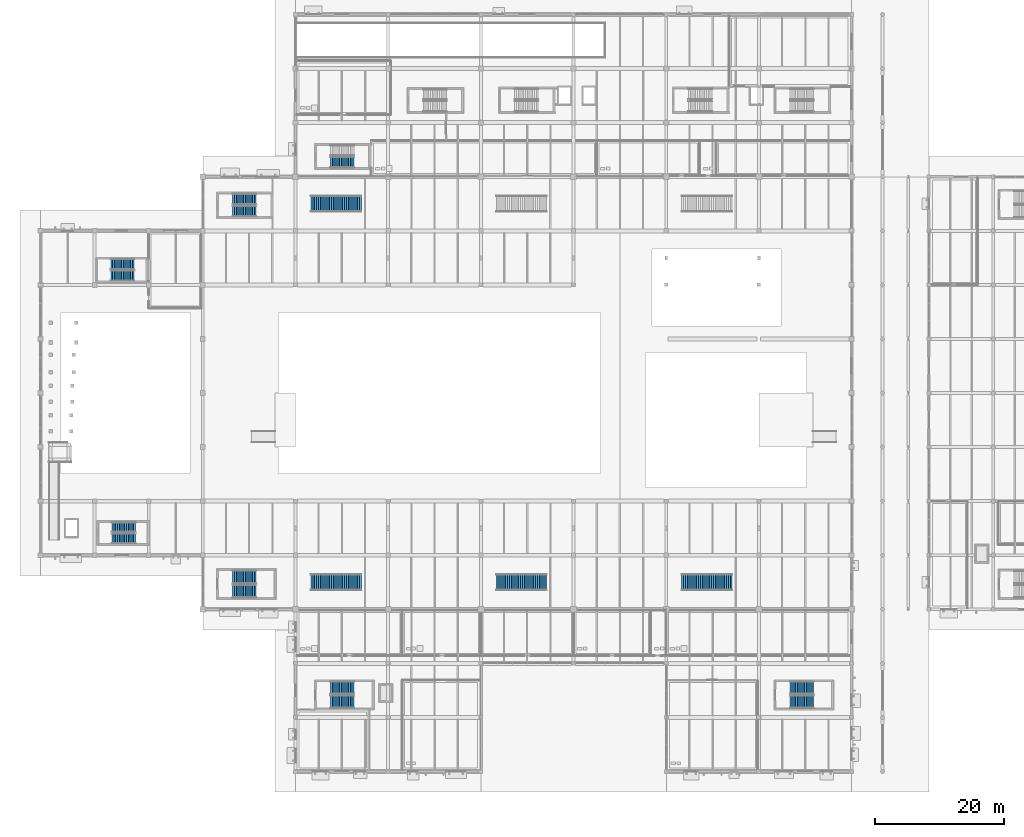
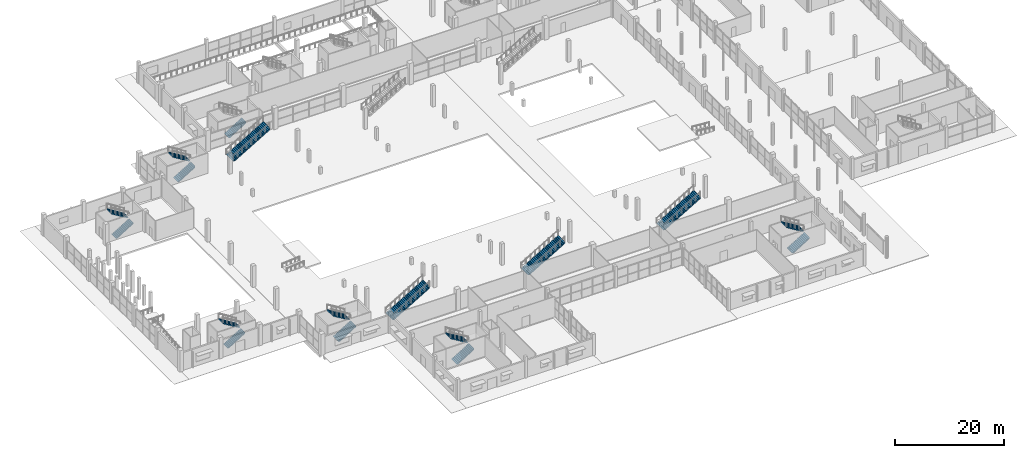
# One storey, part 99 of 130: 17 stair flights, 11 elements without a shape of their own.
"""IFC4 building model written with IfcOpenShell, lengths in metres."""

from ifc_helpers import new_model, si_unit, direction, frame, origin, place, context, subcontext, project, spatial, polyline, outline, extrude, material, type_object, element, aggregate, save


model = new_model("IFC4")

# Units and contexts
model_context = context("Model", 3, precision=1e-05, world=origin(), true_north=direction((0.0, 1.0)))
body_context = subcontext(model_context, "Body", "Model", "MODEL_VIEW")
ifc_project = project(units=[si_unit("LENGTHUNIT", "METRE"), si_unit("AREAUNIT", "SQUARE_METRE"), si_unit("VOLUMEUNIT", "CUBIC_METRE"), si_unit("PLANEANGLEUNIT", "RADIAN"), si_unit("MASSUNIT", "GRAM", prefix="KILO"), si_unit("THERMODYNAMICTEMPERATUREUNIT", "KELVIN")], contexts=[model_context])

# Site, building, storey
site_placement = place(None, origin())
site = spatial("IfcSite", under=ifc_project, at=site_placement, CompositionType="ELEMENT")
building_placement = place(site_placement, origin())
building = spatial("IfcBuilding", under=site, at=building_placement, Name="Nduvali Passage Aquatics Centre", CompositionType="ELEMENT")
storey_placement = place(building_placement, origin())
storey = spatial("IfcBuildingStorey", under=building, at=storey_placement, Name="L00", CompositionType="ELEMENT", Elevation=0.0)

# Stair, stair flights
ifc_material = material(Name="Concrete C40/50", Category="concrete")
stair_type_1 = type_object("IfcStairType", Name="INT-STR-CORE160", PredefinedType="HALF_TURN_STAIR", material=ifc_material)
stair_1_placement = place(storey_placement, origin())
stair_1 = element("IfcStair", 1, at=stair_1_placement, inside=storey, type_object=stair_type_1, Name="L00 ST9", PredefinedType="HALF_TURN_STAIR")
stair_flight_type_1 = type_object("IfcStairFlightType", Name="INT-FLT-160", PredefinedType="STRAIGHT", material=ifc_material)
stair_flight_1_placement = place(storey_placement, frame((11.10009765625, 36.199951171875, 0.0), z_axis=(0.0, 0.0, 1.0), x_axis=(1.0, 0.0, 0.0)))
stair_flight_1 = element("IfcStairFlight", 2, at=stair_flight_1_placement, type_object=stair_flight_type_1, Name="ST9 flight 1", NumberOfRisers=14, NumberOfTreads=13, PredefinedType="STRAIGHT", RiserHeight=0.171428571, TreadLength=0.28, context=body_context, shape_type="SweptSolid", body=[
    extrude(outline(polyline([(0.0, 0.0), (0.0, 0.17138671875), (0.280029296875, 0.17138671875), (0.280029296875, 0.3427734375), (0.56005859375, 0.3427734375), (0.56005859375, 0.514404296875), (0.840087890625, 0.514404296875), (0.840087890625, 0.685791015625), (1.1201171875, 0.685791015625), (1.1201171875, 0.857177734375), (1.39990234375, 0.857177734375), (1.39990234375, 1.028564453125), (1.679931640625, 1.028564453125), (1.679931640625, 1.199951171875), (1.9599609375, 1.199951171875), (1.9599609375, 1.371337890625), (2.239990234375, 1.371337890625), (2.239990234375, 1.54296875), (2.52001953125, 1.54296875), (2.52001953125, 1.71435546875), (2.800048828125, 1.71435546875), (2.800048828125, 1.8857421875), (3.080078125, 1.8857421875), (3.080078125, 2.05712890625), (3.360107421875, 2.05712890625), (3.360107421875, 2.228515625), (3.639892578125, 2.228515625), (3.639892578125, 2.39990234375), (3.640625, 2.39990234375), (3.640625, 2.199951171875), (3.639892578125, 2.052734375), (0.287109375, 0.0), (0.0, 0.0)])), frame((0.0, 0.800048828125, 0.0), z_axis=(0.0, -1.0, 0.0), x_axis=(1.0, 0.0, 0.0)), (0.0, 0.0, 1.0), 1.60009765625),
])
stair_flight_2_placement = place(storey_placement, frame((14.739990234375, 37.949951171875, 2.39990234375), z_axis=(0.0, 0.0, 1.0), x_axis=(-1.0, 0.0, 0.0)))
stair_flight_2 = element("IfcStairFlight", 3, at=stair_flight_2_placement, type_object=stair_flight_type_1, Name="ST9 flight 2", NumberOfRisers=14, NumberOfTreads=13, PredefinedType="STRAIGHT", RiserHeight=0.171428571, TreadLength=0.28, context=body_context, shape_type="SweptSolid", body=[
    extrude(outline(polyline([(0.0, 0.0), (0.0, 0.17138671875), (0.280029296875, 0.17138671875), (0.280029296875, 0.3427734375), (0.56005859375, 0.3427734375), (0.56005859375, 0.514404296875), (0.840087890625, 0.514404296875), (0.840087890625, 0.685791015625), (1.1201171875, 0.685791015625), (1.1201171875, 0.857177734375), (1.39990234375, 0.857177734375), (1.39990234375, 1.028564453125), (1.679931640625, 1.028564453125), (1.679931640625, 1.199951171875), (1.9599609375, 1.199951171875), (1.9599609375, 1.371337890625), (2.239990234375, 1.371337890625), (2.239990234375, 1.54296875), (2.52001953125, 1.54296875), (2.52001953125, 1.71435546875), (2.800048828125, 1.71435546875), (2.800048828125, 1.8857421875), (3.080078125, 1.8857421875), (3.080078125, 2.05712890625), (3.360107421875, 2.05712890625), (3.360107421875, 2.228515625), (3.639892578125, 2.228515625), (3.639892578125, 2.39990234375), (3.640625, 2.39990234375), (3.640625, 2.199951171875), (3.639892578125, 2.052734375), (0.287109375, 0.0), (0.0, 0.0)])), frame((0.0, 0.800048828125, 0.0), z_axis=(0.0, -1.0, 0.0), x_axis=(1.0, 0.0, 0.0)), (0.0, 0.0, 1.0), 1.60009765625),
])
aggregate(stair_1, [stair_flight_1, stair_flight_2])

stair_type_2 = type_object("IfcStairType", Name="INT-STR-CORE164", PredefinedType="HALF_TURN_STAIR", material=ifc_material)
stair_2_placement = place(storey_placement, origin())
stair_2 = element("IfcStair", 4, at=stair_2_placement, inside=storey, type_object=stair_type_2, Name="L00 ST12", PredefinedType="HALF_TURN_STAIR")
stair_flight_type_2 = type_object("IfcStairFlightType", Name="INT-FLT-164", PredefinedType="STRAIGHT", material=ifc_material)
stair_flight_3_placement = place(storey_placement, frame((10.89990234375, 77.02001953125, 0.0), z_axis=(0.0, 0.0, 1.0), x_axis=(1.0, 0.0, 0.0)))
stair_flight_3 = element("IfcStairFlight", 5, at=stair_flight_3_placement, type_object=stair_flight_type_2, Name="ST12 flight 1", NumberOfRisers=14, NumberOfTreads=13, PredefinedType="STRAIGHT", RiserHeight=0.171428571, TreadLength=0.28, context=body_context, shape_type="SweptSolid", body=[
    extrude(outline(polyline([(0.0, 0.0), (0.0, 0.17138671875), (0.280029296875, 0.17138671875), (0.280029296875, 0.3427734375), (0.56005859375, 0.3427734375), (0.56005859375, 0.514404296875), (0.840087890625, 0.514404296875), (0.840087890625, 0.685791015625), (1.1201171875, 0.685791015625), (1.1201171875, 0.857177734375), (1.39990234375, 0.857177734375), (1.39990234375, 1.028564453125), (1.679931640625, 1.028564453125), (1.679931640625, 1.199951171875), (1.9599609375, 1.199951171875), (1.9599609375, 1.371337890625), (2.239990234375, 1.371337890625), (2.239990234375, 1.54296875), (2.52001953125, 1.54296875), (2.52001953125, 1.71435546875), (2.800048828125, 1.71435546875), (2.800048828125, 1.8857421875), (3.080078125, 1.8857421875), (3.080078125, 2.05712890625), (3.360107421875, 2.05712890625), (3.360107421875, 2.228515625), (3.639892578125, 2.228515625), (3.639892578125, 2.39990234375), (3.640625, 2.39990234375), (3.640625, 2.199951171875), (3.639892578125, 2.052734375), (0.287109375, 0.0), (0.0, 0.0)])), frame((0.0, 0.81982421875, 0.0), z_axis=(0.0, -1.0, 0.0), x_axis=(1.0, 0.0, 0.0)), (0.0, 0.0, 1.0), 1.639892578125),
])
stair_flight_4_placement = place(storey_placement, frame((14.5400390625, 78.81005859375, 2.39990234375), z_axis=(0.0, 0.0, 1.0), x_axis=(-1.0, 0.0, 0.0)))
stair_flight_4 = element("IfcStairFlight", 6, at=stair_flight_4_placement, type_object=stair_flight_type_2, Name="ST12 flight 2", NumberOfRisers=14, NumberOfTreads=13, PredefinedType="STRAIGHT", RiserHeight=0.171428571, TreadLength=0.28, context=body_context, shape_type="SweptSolid", body=[
    extrude(outline(polyline([(0.0, 0.0), (0.0, 0.17138671875), (0.280029296875, 0.17138671875), (0.280029296875, 0.3427734375), (0.56005859375, 0.3427734375), (0.56005859375, 0.514404296875), (0.840087890625, 0.514404296875), (0.840087890625, 0.685791015625), (1.1201171875, 0.685791015625), (1.1201171875, 0.857177734375), (1.39990234375, 0.857177734375), (1.39990234375, 1.028564453125), (1.679931640625, 1.028564453125), (1.679931640625, 1.199951171875), (1.9599609375, 1.199951171875), (1.9599609375, 1.371337890625), (2.239990234375, 1.371337890625), (2.239990234375, 1.54296875), (2.52001953125, 1.54296875), (2.52001953125, 1.71435546875), (2.800048828125, 1.71435546875), (2.800048828125, 1.8857421875), (3.080078125, 1.8857421875), (3.080078125, 2.05712890625), (3.360107421875, 2.05712890625), (3.360107421875, 2.228515625), (3.639892578125, 2.228515625), (3.639892578125, 2.39990234375), (3.640625, 2.39990234375), (3.640625, 2.199951171875), (3.639892578125, 2.052734375), (0.287109375, 0.0), (0.0, 0.0)])), frame((0.0, 0.81982421875, 0.0), z_axis=(0.0, -1.0, 0.0), x_axis=(1.0, 0.0, 0.0)), (0.0, 0.0, 1.0), 1.639892578125),
])
aggregate(stair_2, [stair_flight_3, stair_flight_4])

# Stair, stair flight
stair_type_3 = type_object("IfcStairType", Name="INT-STR-CORE168", PredefinedType="HALF_TURN_STAIR", material=ifc_material)
stair_3_placement = place(storey_placement, origin())
stair_3 = element("IfcStair", 7, at=stair_3_placement, inside=storey, type_object=stair_type_3, Name="L00 ST4", PredefinedType="HALF_TURN_STAIR")
stair_flight_type_3 = type_object("IfcStairFlightType", Name="INT-FLT-168", PredefinedType="STRAIGHT", material=ifc_material)
stair_flight_5_placement = place(storey_placement, frame((45.050048828125, 94.639892578125, 0.0), z_axis=(0.0, 0.0, 1.0), x_axis=(1.0, 0.0, 0.0)))
stair_flight_5 = element("IfcStairFlight", 8, at=stair_flight_5_placement, type_object=stair_flight_type_3, Name="ST4 flight 1", NumberOfRisers=14, NumberOfTreads=13, PredefinedType="STRAIGHT", RiserHeight=0.171428571, TreadLength=0.28, context=body_context, shape_type="SweptSolid", body=[
    extrude(outline(polyline([(0.0, 0.0), (0.0, 0.17138671875), (0.280029296875, 0.17138671875), (0.280029296875, 0.3427734375), (0.56005859375, 0.3427734375), (0.56005859375, 0.514404296875), (0.840087890625, 0.514404296875), (0.840087890625, 0.685791015625), (1.1201171875, 0.685791015625), (1.1201171875, 0.857177734375), (1.39990234375, 0.857177734375), (1.39990234375, 1.028564453125), (1.679931640625, 1.028564453125), (1.679931640625, 1.199951171875), (1.9599609375, 1.199951171875), (1.9599609375, 1.371337890625), (2.239990234375, 1.371337890625), (2.239990234375, 1.54296875), (2.52001953125, 1.54296875), (2.52001953125, 1.71435546875), (2.800048828125, 1.71435546875), (2.800048828125, 1.8857421875), (3.080078125, 1.8857421875), (3.080078125, 2.05712890625), (3.360107421875, 2.05712890625), (3.360107421875, 2.228515625), (3.639892578125, 2.228515625), (3.639892578125, 2.39990234375), (3.640625, 2.39990234375), (3.640625, 2.199951171875), (3.639892578125, 2.052734375), (0.287109375, 0.0), (0.0, 0.0)])), frame((0.0, 0.83984375, 0.0), z_axis=(0.0, -1.0, 0.0), x_axis=(1.0, 0.0, 0.0)), (0.0, 0.0, 1.0), 1.679931640625),
])
aggregate(stair_3, [stair_flight_5])

# Stair, stair flights
stair_type_4 = type_object("IfcStairType", Name="INT-STR-CORE172", PredefinedType="HALF_TURN_STAIR", material=ifc_material)
stair_4_placement = place(storey_placement, origin())
stair_4 = element("IfcStair", 9, at=stair_4_placement, inside=storey, type_object=stair_type_4, Name="L00 ST10", PredefinedType="HALF_TURN_STAIR")
stair_flight_type_4 = type_object("IfcStairFlightType", Name="INT-FLT-172", PredefinedType="STRAIGHT", material=ifc_material)
stair_flight_6_placement = place(storey_placement, frame((29.85009765625, 87.06005859375, 0.0), z_axis=(0.0, 0.0, 1.0), x_axis=(1.0, 0.0, 0.0)))
stair_flight_6 = element("IfcStairFlight", 10, at=stair_flight_6_placement, type_object=stair_flight_type_4, Name="ST10 flight 1", NumberOfRisers=14, NumberOfTreads=13, PredefinedType="STRAIGHT", RiserHeight=0.171428571, TreadLength=0.28, context=body_context, shape_type="SweptSolid", body=[
    extrude(outline(polyline([(0.0, 0.0), (0.0, 0.17138671875), (0.280029296875, 0.17138671875), (0.280029296875, 0.3427734375), (0.56005859375, 0.3427734375), (0.56005859375, 0.514404296875), (0.840087890625, 0.514404296875), (0.840087890625, 0.685791015625), (1.1201171875, 0.685791015625), (1.1201171875, 0.857177734375), (1.39990234375, 0.857177734375), (1.39990234375, 1.028564453125), (1.679931640625, 1.028564453125), (1.679931640625, 1.199951171875), (1.9599609375, 1.199951171875), (1.9599609375, 1.371337890625), (2.239990234375, 1.371337890625), (2.239990234375, 1.54296875), (2.52001953125, 1.54296875), (2.52001953125, 1.71435546875), (2.800048828125, 1.71435546875), (2.800048828125, 1.8857421875), (3.080078125, 1.8857421875), (3.080078125, 2.05712890625), (3.360107421875, 2.05712890625), (3.360107421875, 2.228515625), (3.639892578125, 2.228515625), (3.639892578125, 2.39990234375), (3.640625, 2.39990234375), (3.640625, 2.199951171875), (3.639892578125, 2.052734375), (0.287109375, 0.0), (0.0, 0.0)])), frame((0.0, 0.85986328125, 0.0), z_axis=(0.0, -1.0, 0.0), x_axis=(1.0, 0.0, 0.0)), (0.0, 0.0, 1.0), 1.719970703125),
])
stair_flight_7_placement = place(storey_placement, frame((33.489990234375, 88.929931640625, 2.39990234375), z_axis=(0.0, 0.0, 1.0), x_axis=(-1.0, 0.0, 0.0)))
stair_flight_7 = element("IfcStairFlight", 11, at=stair_flight_7_placement, type_object=stair_flight_type_4, Name="ST10 flight 2", NumberOfRisers=14, NumberOfTreads=13, PredefinedType="STRAIGHT", RiserHeight=0.171428571, TreadLength=0.28, context=body_context, shape_type="SweptSolid", body=[
    extrude(outline(polyline([(0.0, 0.0), (0.0, 0.17138671875), (0.280029296875, 0.17138671875), (0.280029296875, 0.3427734375), (0.56005859375, 0.3427734375), (0.56005859375, 0.514404296875), (0.840087890625, 0.514404296875), (0.840087890625, 0.685791015625), (1.1201171875, 0.685791015625), (1.1201171875, 0.857177734375), (1.39990234375, 0.857177734375), (1.39990234375, 1.028564453125), (1.679931640625, 1.028564453125), (1.679931640625, 1.199951171875), (1.9599609375, 1.199951171875), (1.9599609375, 1.371337890625), (2.239990234375, 1.371337890625), (2.239990234375, 1.54296875), (2.52001953125, 1.54296875), (2.52001953125, 1.71435546875), (2.800048828125, 1.71435546875), (2.800048828125, 1.8857421875), (3.080078125, 1.8857421875), (3.080078125, 2.05712890625), (3.360107421875, 2.05712890625), (3.360107421875, 2.228515625), (3.639892578125, 2.228515625), (3.639892578125, 2.39990234375), (3.640625, 2.39990234375), (3.640625, 2.199951171875), (3.639892578125, 2.052734375), (0.287109375, 0.0), (0.0, 0.0)])), frame((0.0, 0.85986328125, 0.0), z_axis=(0.0, -1.0, 0.0), x_axis=(1.0, 0.0, 0.0)), (0.0, 0.0, 1.0), 1.719970703125),
])
aggregate(stair_4, [stair_flight_6, stair_flight_7])

stair_type_5 = type_object("IfcStairType", Name="INT-STR-CORE202", PredefinedType="HALF_TURN_STAIR", material=ifc_material)
stair_5_placement = place(storey_placement, origin())
stair_5 = element("IfcStair", 12, at=stair_5_placement, inside=storey, type_object=stair_type_5, Name="L00 ST5", PredefinedType="HALF_TURN_STAIR")
stair_flight_type_5 = type_object("IfcStairFlightType", Name="INT-FLT-202", PredefinedType="STRAIGHT", material=ifc_material)
stair_flight_8_placement = place(storey_placement, frame((45.050048828125, 10.81005859375, 0.0), z_axis=(0.0, 0.0, 1.0), x_axis=(1.0, 0.0, 0.0)))
stair_flight_8 = element("IfcStairFlight", 13, at=stair_flight_8_placement, type_object=stair_flight_type_5, Name="ST5 flight 1", NumberOfRisers=14, NumberOfTreads=13, PredefinedType="STRAIGHT", RiserHeight=0.171428571, TreadLength=0.28, context=body_context, shape_type="SweptSolid", body=[
    extrude(outline(polyline([(0.0, 0.0), (0.0, 0.17138671875), (0.280029296875, 0.17138671875), (0.280029296875, 0.3427734375), (0.56005859375, 0.3427734375), (0.56005859375, 0.514404296875), (0.840087890625, 0.514404296875), (0.840087890625, 0.685791015625), (1.1201171875, 0.685791015625), (1.1201171875, 0.857177734375), (1.39990234375, 0.857177734375), (1.39990234375, 1.028564453125), (1.679931640625, 1.028564453125), (1.679931640625, 1.199951171875), (1.9599609375, 1.199951171875), (1.9599609375, 1.371337890625), (2.239990234375, 1.371337890625), (2.239990234375, 1.54296875), (2.52001953125, 1.54296875), (2.52001953125, 1.71435546875), (2.800048828125, 1.71435546875), (2.800048828125, 1.8857421875), (3.080078125, 1.8857421875), (3.080078125, 2.05712890625), (3.360107421875, 2.05712890625), (3.360107421875, 2.228515625), (3.639892578125, 2.228515625), (3.639892578125, 2.39990234375), (3.640625, 2.39990234375), (3.640625, 2.199951171875), (3.639892578125, 2.052734375), (0.287109375, 0.0), (0.0, 0.0)])), frame((0.0, 1.010009765625, 0.0), z_axis=(0.0, -1.0, 0.0), x_axis=(1.0, 0.0, 0.0)), (0.0, 0.0, 1.0), 2.02001953125),
])
stair_flight_9_placement = place(storey_placement, frame((48.68994140625, 12.97998046875, 2.39990234375), z_axis=(0.0, 0.0, 1.0), x_axis=(-1.0, 0.0, 0.0)))
stair_flight_9 = element("IfcStairFlight", 14, at=stair_flight_9_placement, type_object=stair_flight_type_5, Name="ST5 flight 2", NumberOfRisers=14, NumberOfTreads=13, PredefinedType="STRAIGHT", RiserHeight=0.171428571, TreadLength=0.28, context=body_context, shape_type="SweptSolid", body=[
    extrude(outline(polyline([(0.0, 0.0), (0.0, 0.17138671875), (0.280029296875, 0.17138671875), (0.280029296875, 0.3427734375), (0.56005859375, 0.3427734375), (0.56005859375, 0.514404296875), (0.840087890625, 0.514404296875), (0.840087890625, 0.685791015625), (1.1201171875, 0.685791015625), (1.1201171875, 0.857177734375), (1.39990234375, 0.857177734375), (1.39990234375, 1.028564453125), (1.679931640625, 1.028564453125), (1.679931640625, 1.199951171875), (1.9599609375, 1.199951171875), (1.9599609375, 1.371337890625), (2.239990234375, 1.371337890625), (2.239990234375, 1.54296875), (2.52001953125, 1.54296875), (2.52001953125, 1.71435546875), (2.800048828125, 1.71435546875), (2.800048828125, 1.8857421875), (3.080078125, 1.8857421875), (3.080078125, 2.05712890625), (3.360107421875, 2.05712890625), (3.360107421875, 2.228515625), (3.639892578125, 2.228515625), (3.639892578125, 2.39990234375), (3.640625, 2.39990234375), (3.640625, 2.199951171875), (3.639892578125, 2.052734375), (0.287109375, 0.0), (0.0, 0.0)])), frame((0.0, 1.010009765625, 0.0), z_axis=(0.0, -1.0, 0.0), x_axis=(1.0, 0.0, 0.0)), (0.0, 0.0, 1.0), 2.02001953125),
])
aggregate(stair_5, [stair_flight_8, stair_flight_9])

stair_6_placement = place(storey_placement, origin())
stair_6 = element("IfcStair", 15, at=stair_6_placement, inside=storey, type_object=stair_type_5, Name="L00 ST6", PredefinedType="HALF_TURN_STAIR")
stair_flight_10_placement = place(storey_placement, frame((116.449951171875, 10.81005859375, 0.0), z_axis=(0.0, 0.0, 1.0), x_axis=(1.0, 0.0, 0.0)))
stair_flight_10 = element("IfcStairFlight", 16, at=stair_flight_10_placement, type_object=stair_flight_type_5, Name="ST6 flight 1", NumberOfRisers=14, NumberOfTreads=13, PredefinedType="STRAIGHT", RiserHeight=0.171428571, TreadLength=0.28, context=body_context, shape_type="SweptSolid", body=[
    extrude(outline(polyline([(0.0, 0.0), (0.0, 0.17138671875), (0.280029296875, 0.17138671875), (0.280029296875, 0.3427734375), (0.56005859375, 0.3427734375), (0.56005859375, 0.514404296875), (0.840087890625, 0.514404296875), (0.840087890625, 0.685791015625), (1.1201171875, 0.685791015625), (1.1201171875, 0.857177734375), (1.39990234375, 0.857177734375), (1.39990234375, 1.028564453125), (1.679931640625, 1.028564453125), (1.679931640625, 1.199951171875), (1.9599609375, 1.199951171875), (1.9599609375, 1.371337890625), (2.239990234375, 1.371337890625), (2.239990234375, 1.54296875), (2.52001953125, 1.54296875), (2.52001953125, 1.71435546875), (2.800048828125, 1.71435546875), (2.800048828125, 1.8857421875), (3.080078125, 1.8857421875), (3.080078125, 2.05712890625), (3.360107421875, 2.05712890625), (3.360107421875, 2.228515625), (3.639892578125, 2.228515625), (3.639892578125, 2.39990234375), (3.640625, 2.39990234375), (3.640625, 2.199951171875), (3.639892578125, 2.052734375), (0.287109375, 0.0), (0.0, 0.0)])), frame((0.0, 1.010009765625, 0.0), z_axis=(0.0, -1.0, 0.0), x_axis=(1.0, 0.0, 0.0)), (0.0, 0.0, 1.0), 2.02001953125),
])
stair_flight_11_placement = place(storey_placement, frame((120.090087890625, 12.97998046875, 2.39990234375), z_axis=(0.0, 0.0, 1.0), x_axis=(-1.0, 0.0, 0.0)))
stair_flight_11 = element("IfcStairFlight", 17, at=stair_flight_11_placement, type_object=stair_flight_type_5, Name="ST6 flight 2", NumberOfRisers=14, NumberOfTreads=13, PredefinedType="STRAIGHT", RiserHeight=0.171428571, TreadLength=0.28, context=body_context, shape_type="SweptSolid", body=[
    extrude(outline(polyline([(0.0, 0.0), (0.0, 0.17138671875), (0.280029296875, 0.17138671875), (0.280029296875, 0.3427734375), (0.56005859375, 0.3427734375), (0.56005859375, 0.514404296875), (0.840087890625, 0.514404296875), (0.840087890625, 0.685791015625), (1.1201171875, 0.685791015625), (1.1201171875, 0.857177734375), (1.39990234375, 0.857177734375), (1.39990234375, 1.028564453125), (1.679931640625, 1.028564453125), (1.679931640625, 1.199951171875), (1.9599609375, 1.199951171875), (1.9599609375, 1.371337890625), (2.239990234375, 1.371337890625), (2.239990234375, 1.54296875), (2.52001953125, 1.54296875), (2.52001953125, 1.71435546875), (2.800048828125, 1.71435546875), (2.800048828125, 1.8857421875), (3.080078125, 1.8857421875), (3.080078125, 2.05712890625), (3.360107421875, 2.05712890625), (3.360107421875, 2.228515625), (3.639892578125, 2.228515625), (3.639892578125, 2.39990234375), (3.640625, 2.39990234375), (3.640625, 2.199951171875), (3.639892578125, 2.052734375), (0.287109375, 0.0), (0.0, 0.0)])), frame((0.0, 1.010009765625, 0.0), z_axis=(0.0, -1.0, 0.0), x_axis=(1.0, 0.0, 0.0)), (0.0, 0.0, 1.0), 2.02001953125),
])
aggregate(stair_6, [stair_flight_10, stair_flight_11])

stair_type_6 = type_object("IfcStairType", Name="INT-STR-CORE205", PredefinedType="HALF_TURN_STAIR", material=ifc_material)
stair_7_placement = place(storey_placement, origin())
stair_7 = element("IfcStair", 18, at=stair_7_placement, inside=storey, type_object=stair_type_6, Name="L00 ST13", PredefinedType="HALF_TURN_STAIR")
stair_flight_type_6 = type_object("IfcStairFlightType", Name="INT-FLT-205", PredefinedType="STRAIGHT", material=ifc_material)
stair_flight_12_placement = place(storey_placement, frame((29.85009765625, 28.02490234375, 0.0), z_axis=(0.0, 0.0, 1.0), x_axis=(1.0, 0.0, 0.0)))
stair_flight_12 = element("IfcStairFlight", 19, at=stair_flight_12_placement, type_object=stair_flight_type_6, Name="ST13 flight 1", NumberOfRisers=14, NumberOfTreads=13, PredefinedType="STRAIGHT", RiserHeight=0.171428571, TreadLength=0.28, context=body_context, shape_type="SweptSolid", body=[
    extrude(outline(polyline([(0.0, 0.0), (0.0, 0.17138671875), (0.280029296875, 0.17138671875), (0.280029296875, 0.3427734375), (0.56005859375, 0.3427734375), (0.56005859375, 0.514404296875), (0.840087890625, 0.514404296875), (0.840087890625, 0.685791015625), (1.1201171875, 0.685791015625), (1.1201171875, 0.857177734375), (1.39990234375, 0.857177734375), (1.39990234375, 1.028564453125), (1.679931640625, 1.028564453125), (1.679931640625, 1.199951171875), (1.9599609375, 1.199951171875), (1.9599609375, 1.371337890625), (2.239990234375, 1.371337890625), (2.239990234375, 1.54296875), (2.52001953125, 1.54296875), (2.52001953125, 1.71435546875), (2.800048828125, 1.71435546875), (2.800048828125, 1.8857421875), (3.080078125, 1.8857421875), (3.080078125, 2.05712890625), (3.360107421875, 2.05712890625), (3.360107421875, 2.228515625), (3.639892578125, 2.228515625), (3.639892578125, 2.39990234375), (3.640625, 2.39990234375), (3.640625, 2.199951171875), (3.639892578125, 2.052734375), (0.287109375, 0.0), (0.0, 0.0)])), frame((0.0, 1.02490234375, 0.0), z_axis=(0.0, -1.0, 0.0), x_axis=(1.0, 0.0, 0.0)), (0.0, 0.0, 1.0), 2.050048828125),
])
stair_flight_13_placement = place(storey_placement, frame((33.489990234375, 30.22509765625, 2.39990234375), z_axis=(0.0, 0.0, 1.0), x_axis=(-1.0, 0.0, 0.0)))
stair_flight_13 = element("IfcStairFlight", 20, at=stair_flight_13_placement, type_object=stair_flight_type_6, Name="ST13 flight 2", NumberOfRisers=14, NumberOfTreads=13, PredefinedType="STRAIGHT", RiserHeight=0.171428571, TreadLength=0.28, context=body_context, shape_type="SweptSolid", body=[
    extrude(outline(polyline([(0.0, 0.0), (0.0, 0.17138671875), (0.280029296875, 0.17138671875), (0.280029296875, 0.3427734375), (0.56005859375, 0.3427734375), (0.56005859375, 0.514404296875), (0.840087890625, 0.514404296875), (0.840087890625, 0.685791015625), (1.1201171875, 0.685791015625), (1.1201171875, 0.857177734375), (1.39990234375, 0.857177734375), (1.39990234375, 1.028564453125), (1.679931640625, 1.028564453125), (1.679931640625, 1.199951171875), (1.9599609375, 1.199951171875), (1.9599609375, 1.371337890625), (2.239990234375, 1.371337890625), (2.239990234375, 1.54296875), (2.52001953125, 1.54296875), (2.52001953125, 1.71435546875), (2.800048828125, 1.71435546875), (2.800048828125, 1.8857421875), (3.080078125, 1.8857421875), (3.080078125, 2.05712890625), (3.360107421875, 2.05712890625), (3.360107421875, 2.228515625), (3.639892578125, 2.228515625), (3.639892578125, 2.39990234375), (3.640625, 2.39990234375), (3.640625, 2.199951171875), (3.639892578125, 2.052734375), (0.287109375, 0.0), (0.0, 0.0)])), frame((0.0, 1.02490234375, 0.0), z_axis=(0.0, -1.0, 0.0), x_axis=(1.0, 0.0, 0.0)), (0.0, 0.0, 1.0), 2.050048828125),
])
aggregate(stair_7, [stair_flight_12, stair_flight_13])

# Stair, stair flight
stair_type_7 = type_object("IfcStairType", Name="INT-STR-VOM210", PredefinedType="STRAIGHT_RUN_STAIR", material=ifc_material)
stair_8_placement = place(storey_placement, origin())
stair_8 = element("IfcStair", 21, at=stair_8_placement, inside=storey, type_object=stair_type_7, Name="L00 Spectator Concourse Vomitory Stair VST1", PredefinedType="STRAIGHT_RUN_STAIR")
stair_flight_type_7 = type_object("IfcStairFlightType", Name="INT-FLT-210", PredefinedType="STRAIGHT", material=ifc_material)
stair_flight_14_placement = place(storey_placement, frame((42.0, 29.39990234375, 0.0), z_axis=(0.0, 0.0, 1.0), x_axis=(1.0, 0.0, 0.0)))
stair_flight_14 = element("IfcStairFlight", 22, at=stair_flight_14_placement, type_object=stair_flight_type_7, Name="VST1 flight 1", NumberOfRisers=28, NumberOfTreads=27, PredefinedType="STRAIGHT", RiserHeight=0.171429, TreadLength=0.29, context=body_context, shape_type="SweptSolid", body=[
    extrude(outline(polyline([(0.0, 0.0), (0.0, 0.17138671875), (0.2900390625, 0.17138671875), (0.2900390625, 0.3427734375), (0.580078125, 0.3427734375), (0.580078125, 0.514404296875), (0.8701171875, 0.514404296875), (0.8701171875, 0.685791015625), (1.159912109375, 0.685791015625), (1.159912109375, 0.857177734375), (1.449951171875, 0.857177734375), (1.449951171875, 1.028564453125), (1.739990234375, 1.028564453125), (1.739990234375, 1.199951171875), (2.030029296875, 1.199951171875), (2.030029296875, 1.371337890625), (2.320068359375, 1.371337890625), (2.320068359375, 1.54296875), (2.610107421875, 1.54296875), (2.610107421875, 1.71435546875), (2.89990234375, 1.71435546875), (2.89990234375, 1.8857421875), (3.18994140625, 1.8857421875), (3.18994140625, 2.05712890625), (3.47998046875, 2.05712890625), (3.47998046875, 2.228515625), (3.77001953125, 2.228515625), (3.77001953125, 2.39990234375), (4.06005859375, 2.39990234375), (4.06005859375, 2.571533203125), (4.35009765625, 2.571533203125), (4.35009765625, 2.742919921875), (4.639892578125, 2.742919921875), (4.639892578125, 2.914306640625), (4.929931640625, 2.914306640625), (4.929931640625, 3.085693359375), (5.219970703125, 3.085693359375), (5.219970703125, 3.257080078125), (5.510009765625, 3.257080078125), (5.510009765625, 3.428466796875), (5.800048828125, 3.428466796875), (5.800048828125, 3.60009765625), (6.090087890625, 3.60009765625), (6.090087890625, 3.771484375), (6.3798828125, 3.771484375), (6.3798828125, 3.94287109375), (6.669921875, 3.94287109375), (6.669921875, 4.1142578125), (6.9599609375, 4.1142578125), (6.9599609375, 4.28564453125), (7.25, 4.28564453125), (7.25, 4.457275390625), (7.5400390625, 4.457275390625), (7.5400390625, 4.628662109375), (7.830078125, 4.628662109375), (7.830078125, 4.800048828125), (7.830810546875, 4.800048828125), (7.830810546875, 4.60009765625), (7.830078125, 4.396240234375), (0.392822265625, 0.0), (0.0, 0.0)])), frame((0.0, 1.27490234375, 0.0), z_axis=(0.0, -1.0, 0.0), x_axis=(1.0, 0.0, 0.0)), (0.0, 0.0, 1.0), 2.550048828125),
])
aggregate(stair_8, [stair_flight_14])

stair_9_placement = place(storey_placement, origin())
stair_9 = element("IfcStair", 23, at=stair_9_placement, inside=storey, type_object=stair_type_7, Name="L00 Spectator Concourse Vomitory Stair VST2", PredefinedType="STRAIGHT_RUN_STAIR")
stair_flight_15_placement = place(storey_placement, frame((70.800048828125, 29.39990234375, 0.0), z_axis=(0.0, 0.0, 1.0), x_axis=(1.0, 0.0, 0.0)))
stair_flight_15 = element("IfcStairFlight", 24, at=stair_flight_15_placement, type_object=stair_flight_type_7, Name="VST2 flight 1", NumberOfRisers=28, NumberOfTreads=27, PredefinedType="STRAIGHT", RiserHeight=0.171429, TreadLength=0.29, context=body_context, shape_type="SweptSolid", body=[
    extrude(outline(polyline([(0.0, 0.0), (0.0, 0.17138671875), (0.2900390625, 0.17138671875), (0.2900390625, 0.3427734375), (0.580078125, 0.3427734375), (0.580078125, 0.514404296875), (0.8701171875, 0.514404296875), (0.8701171875, 0.685791015625), (1.159912109375, 0.685791015625), (1.159912109375, 0.857177734375), (1.449951171875, 0.857177734375), (1.449951171875, 1.028564453125), (1.739990234375, 1.028564453125), (1.739990234375, 1.199951171875), (2.030029296875, 1.199951171875), (2.030029296875, 1.371337890625), (2.320068359375, 1.371337890625), (2.320068359375, 1.54296875), (2.610107421875, 1.54296875), (2.610107421875, 1.71435546875), (2.89990234375, 1.71435546875), (2.89990234375, 1.8857421875), (3.18994140625, 1.8857421875), (3.18994140625, 2.05712890625), (3.47998046875, 2.05712890625), (3.47998046875, 2.228515625), (3.77001953125, 2.228515625), (3.77001953125, 2.39990234375), (4.06005859375, 2.39990234375), (4.06005859375, 2.571533203125), (4.35009765625, 2.571533203125), (4.35009765625, 2.742919921875), (4.639892578125, 2.742919921875), (4.639892578125, 2.914306640625), (4.929931640625, 2.914306640625), (4.929931640625, 3.085693359375), (5.219970703125, 3.085693359375), (5.219970703125, 3.257080078125), (5.510009765625, 3.257080078125), (5.510009765625, 3.428466796875), (5.800048828125, 3.428466796875), (5.800048828125, 3.60009765625), (6.090087890625, 3.60009765625), (6.090087890625, 3.771484375), (6.3798828125, 3.771484375), (6.3798828125, 3.94287109375), (6.669921875, 3.94287109375), (6.669921875, 4.1142578125), (6.9599609375, 4.1142578125), (6.9599609375, 4.28564453125), (7.25, 4.28564453125), (7.25, 4.457275390625), (7.5400390625, 4.457275390625), (7.5400390625, 4.628662109375), (7.830078125, 4.628662109375), (7.830078125, 4.800048828125), (7.830810546875, 4.800048828125), (7.830810546875, 4.60009765625), (7.830078125, 4.396240234375), (0.392822265625, 0.0), (0.0, 0.0)])), frame((0.0, 1.27490234375, 0.0), z_axis=(0.0, -1.0, 0.0), x_axis=(1.0, 0.0, 0.0)), (0.0, 0.0, 1.0), 2.550048828125),
])
aggregate(stair_9, [stair_flight_15])

stair_10_placement = place(storey_placement, origin())
stair_10 = element("IfcStair", 25, at=stair_10_placement, inside=storey, type_object=stair_type_7, Name="L00 Spectator Concourse Vomitory Stair VST3", PredefinedType="STRAIGHT_RUN_STAIR")
stair_flight_16_placement = place(storey_placement, frame((99.60009765625, 29.39990234375, 0.0), z_axis=(0.0, 0.0, 1.0), x_axis=(1.0, 0.0, 0.0)))
stair_flight_16 = element("IfcStairFlight", 26, at=stair_flight_16_placement, type_object=stair_flight_type_7, Name="VST3 flight 1", NumberOfRisers=28, NumberOfTreads=27, PredefinedType="STRAIGHT", RiserHeight=0.171429, TreadLength=0.29, context=body_context, shape_type="SweptSolid", body=[
    extrude(outline(polyline([(0.0, 0.0), (0.0, 0.17138671875), (0.2900390625, 0.17138671875), (0.2900390625, 0.3427734375), (0.580078125, 0.3427734375), (0.580078125, 0.514404296875), (0.8701171875, 0.514404296875), (0.8701171875, 0.685791015625), (1.159912109375, 0.685791015625), (1.159912109375, 0.857177734375), (1.449951171875, 0.857177734375), (1.449951171875, 1.028564453125), (1.739990234375, 1.028564453125), (1.739990234375, 1.199951171875), (2.030029296875, 1.199951171875), (2.030029296875, 1.371337890625), (2.320068359375, 1.371337890625), (2.320068359375, 1.54296875), (2.610107421875, 1.54296875), (2.610107421875, 1.71435546875), (2.89990234375, 1.71435546875), (2.89990234375, 1.8857421875), (3.18994140625, 1.8857421875), (3.18994140625, 2.05712890625), (3.47998046875, 2.05712890625), (3.47998046875, 2.228515625), (3.77001953125, 2.228515625), (3.77001953125, 2.39990234375), (4.06005859375, 2.39990234375), (4.06005859375, 2.571533203125), (4.35009765625, 2.571533203125), (4.35009765625, 2.742919921875), (4.639892578125, 2.742919921875), (4.639892578125, 2.914306640625), (4.929931640625, 2.914306640625), (4.929931640625, 3.085693359375), (5.219970703125, 3.085693359375), (5.219970703125, 3.257080078125), (5.510009765625, 3.257080078125), (5.510009765625, 3.428466796875), (5.800048828125, 3.428466796875), (5.800048828125, 3.60009765625), (6.090087890625, 3.60009765625), (6.090087890625, 3.771484375), (6.3798828125, 3.771484375), (6.3798828125, 3.94287109375), (6.669921875, 3.94287109375), (6.669921875, 4.1142578125), (6.9599609375, 4.1142578125), (6.9599609375, 4.28564453125), (7.25, 4.28564453125), (7.25, 4.457275390625), (7.5400390625, 4.457275390625), (7.5400390625, 4.628662109375), (7.830078125, 4.628662109375), (7.830078125, 4.800048828125), (7.830810546875, 4.800048828125), (7.830810546875, 4.60009765625), (7.830078125, 4.396240234375), (0.392822265625, 0.0), (0.0, 0.0)])), frame((0.0, 1.27490234375, 0.0), z_axis=(0.0, -1.0, 0.0), x_axis=(1.0, 0.0, 0.0)), (0.0, 0.0, 1.0), 2.550048828125),
])
aggregate(stair_10, [stair_flight_16])

stair_11_placement = place(storey_placement, origin())
stair_11 = element("IfcStair", 27, at=stair_11_placement, inside=storey, type_object=stair_type_7, Name="L00 Spectator Concourse Vomitory Stair VST4", PredefinedType="STRAIGHT_RUN_STAIR")
stair_flight_17_placement = place(storey_placement, frame((42.0, 88.199951171875, 0.0), z_axis=(0.0, 0.0, 1.0), x_axis=(1.0, 0.0, 0.0)))
stair_flight_17 = element("IfcStairFlight", 28, at=stair_flight_17_placement, type_object=stair_flight_type_7, Name="VST4 flight 1", NumberOfRisers=28, NumberOfTreads=27, PredefinedType="STRAIGHT", RiserHeight=0.171429, TreadLength=0.29, context=body_context, shape_type="SweptSolid", body=[
    extrude(outline(polyline([(0.0, 0.0), (0.0, 0.17138671875), (0.2900390625, 0.17138671875), (0.2900390625, 0.3427734375), (0.580078125, 0.3427734375), (0.580078125, 0.514404296875), (0.8701171875, 0.514404296875), (0.8701171875, 0.685791015625), (1.159912109375, 0.685791015625), (1.159912109375, 0.857177734375), (1.449951171875, 0.857177734375), (1.449951171875, 1.028564453125), (1.739990234375, 1.028564453125), (1.739990234375, 1.199951171875), (2.030029296875, 1.199951171875), (2.030029296875, 1.371337890625), (2.320068359375, 1.371337890625), (2.320068359375, 1.54296875), (2.610107421875, 1.54296875), (2.610107421875, 1.71435546875), (2.89990234375, 1.71435546875), (2.89990234375, 1.8857421875), (3.18994140625, 1.8857421875), (3.18994140625, 2.05712890625), (3.47998046875, 2.05712890625), (3.47998046875, 2.228515625), (3.77001953125, 2.228515625), (3.77001953125, 2.39990234375), (4.06005859375, 2.39990234375), (4.06005859375, 2.571533203125), (4.35009765625, 2.571533203125), (4.35009765625, 2.742919921875), (4.639892578125, 2.742919921875), (4.639892578125, 2.914306640625), (4.929931640625, 2.914306640625), (4.929931640625, 3.085693359375), (5.219970703125, 3.085693359375), (5.219970703125, 3.257080078125), (5.510009765625, 3.257080078125), (5.510009765625, 3.428466796875), (5.800048828125, 3.428466796875), (5.800048828125, 3.60009765625), (6.090087890625, 3.60009765625), (6.090087890625, 3.771484375), (6.3798828125, 3.771484375), (6.3798828125, 3.94287109375), (6.669921875, 3.94287109375), (6.669921875, 4.1142578125), (6.9599609375, 4.1142578125), (6.9599609375, 4.28564453125), (7.25, 4.28564453125), (7.25, 4.457275390625), (7.5400390625, 4.457275390625), (7.5400390625, 4.628662109375), (7.830078125, 4.628662109375), (7.830078125, 4.800048828125), (7.830810546875, 4.800048828125), (7.830810546875, 4.60009765625), (7.830078125, 4.396240234375), (0.392822265625, 0.0), (0.0, 0.0)])), frame((0.0, 1.27490234375, 0.0), z_axis=(0.0, -1.0, 0.0), x_axis=(1.0, 0.0, 0.0)), (0.0, 0.0, 1.0), 2.550048828125),
])
aggregate(stair_11, [stair_flight_17])

save(model, "model.ifc")
